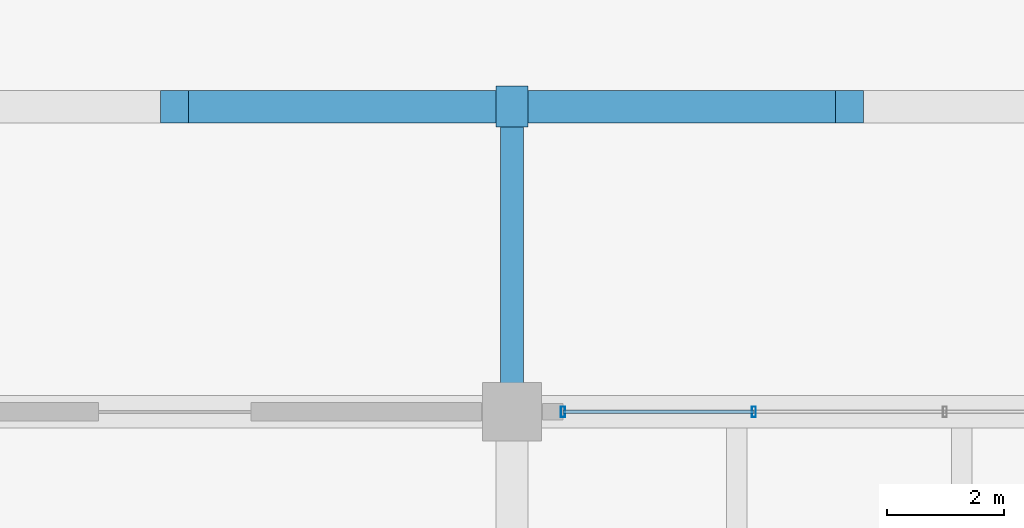
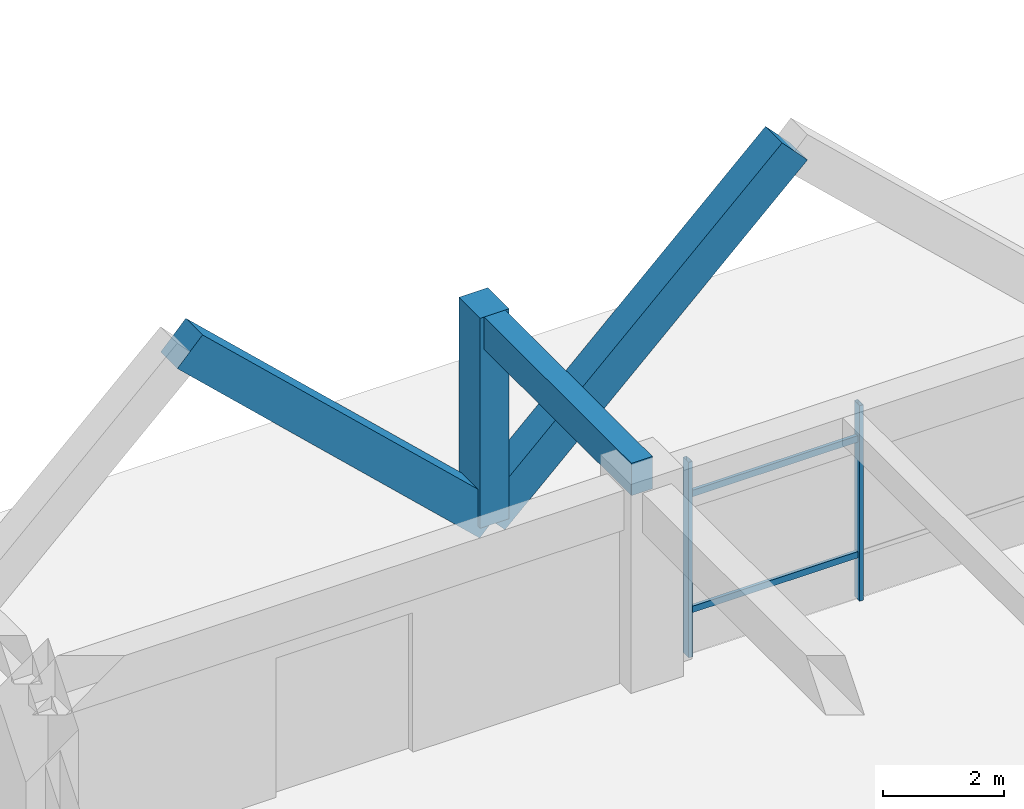
# One storey, part 34 of 109: 7 members, 1 beam, 1 element without a shape of its own.
"""IFC4 building model written with IfcOpenShell, lengths in metres."""

import ifcopenshell
import ifcopenshell.guid

model = None  # the IFC model being written
_history = None  # IfcOwnerHistory: only IFC2X3 demands one
_inside = {}  # id of a spatial element -> (the spatial element, [elements in it])
_under = {}  # id of a project, library or spatial element -> (it, [spatial elements below it])
_declared = {}  # id of a project -> (the project, [libraries it declares])
_typed = {}  # id of a type object -> (the type object, [elements of that type])
_made_of = {}  # id of a material, layer set ... -> (it, [elements and type objects made of it])


def new_model(schema):
    """Start an empty IFC model of exactly this schema.

    Asked for "IFC4X3", IfcOpenShell would pick the latest addendum, in which some entities
    have other attributes; the version numbers below select the first issue.
    IFC2X3 requires an IfcOwnerHistory on every rooted entity: one is made here for all.
    """
    global model, _history
    if schema == "IFC4X3":
        model = ifcopenshell.file(schema_version=(4, 3, 0, 0))
    else:
        model = ifcopenshell.file(schema=schema)
    _inside.clear()
    _under.clear()
    _declared.clear()
    _typed.clear()
    _made_of.clear()
    _history = None
    if model.schema == "IFC2X3":
        org = make("IfcOrganization", Name="unknown")
        user = make(
            "IfcPersonAndOrganization",
            ThePerson=make("IfcPerson", FamilyName="unknown"),
            TheOrganization=org,
        )
        app = make(
            "IfcApplication",
            ApplicationDeveloper=org,
            Version="unknown",
            ApplicationFullName="unknown",
            ApplicationIdentifier="unknown",
        )
        _history = make(
            "IfcOwnerHistory",
            OwningUser=user,
            OwningApplication=app,
            ChangeAction="ADDED",
            CreationDate=0,
        )
    return model


def make(cls, **values):
    """One entity of the class cls with the attributes given. An attribute that is None is left unset."""
    return model.create_entity(
        cls, **{name: value for name, value in values.items() if value is not None}
    )


def rooted(cls, **values):
    """An entity with a GlobalId (a new one), such as an element, a storey or a relation."""
    return make(cls, GlobalId=ifcopenshell.guid.new(), OwnerHistory=_history, **values)


def si_unit(unit_type, name, prefix=None):
    """IfcSIUnit, for example si_unit("LENGTHUNIT", "METRE", prefix="MILLI")."""
    return make("IfcSIUnit", UnitType=unit_type, Prefix=prefix, Name=name)


def assignment(units):
    """IfcUnitAssignment: the units of a project."""
    return None if units is None else make("IfcUnitAssignment", Units=units)


def point(xyz):
    """IfcCartesianPoint."""
    return None if xyz is None else make("IfcCartesianPoint", Coordinates=xyz)


def direction(xyz):
    """IfcDirection."""
    return None if xyz is None else make("IfcDirection", DirectionRatios=xyz)


def frame(location, z_axis=None, x_axis=None):
    """IfcAxis2Placement3D, a coordinate frame: its origin and axes. An axis left out is left unset."""
    return make(
        "IfcAxis2Placement3D",
        Location=point(location),
        Axis=direction(z_axis),
        RefDirection=direction(x_axis),
    )


def frame_2d(location, x_axis=None):
    """IfcAxis2Placement2D, a coordinate frame in the plane: its origin and x axis."""
    return make(
        "IfcAxis2Placement2D", Location=point(location), RefDirection=direction(x_axis)
    )


def origin():
    """The frame at (0, 0, 0) with its axes left unset."""
    return frame((0.0, 0.0, 0.0))


def origin_2d():
    """The frame at (0, 0) in the plane with its x axis left unset."""
    return frame_2d((0.0, 0.0))


def place(relative_to, where):
    """IfcLocalPlacement: puts the frame where relative to a parent placement (None: the world)."""
    return make(
        "IfcLocalPlacement", PlacementRelTo=relative_to, RelativePlacement=where
    )


def context(
    kind, dimensions, precision=None, world=None, true_north=None, identifier=None
):
    """IfcGeometricRepresentationContext, for example the 3D "Model" context."""
    return make(
        "IfcGeometricRepresentationContext",
        ContextIdentifier=identifier,
        ContextType=kind,
        CoordinateSpaceDimension=dimensions,
        Precision=precision,
        WorldCoordinateSystem=world,
        TrueNorth=true_north,
    )


def subcontext(parent, identifier, kind, view, scale=None):
    """IfcGeometricRepresentationSubContext, for example "Body" below "Model"."""
    return make(
        "IfcGeometricRepresentationSubContext",
        ContextIdentifier=identifier,
        ContextType=kind,
        ParentContext=parent,
        TargetScale=scale,
        TargetView=view,
    )


def project(units=None, contexts=None):
    """IfcProject with its units and contexts."""
    return rooted(
        "IfcProject",
        Name="project",
        RepresentationContexts=contexts,
        UnitsInContext=assignment(units),
    )


def spatial(cls, under=None, at=None, **own):
    """A site, building, storey or space (cls), placed at a placement, below another one or the project."""
    s = rooted(cls, ObjectPlacement=at, **own)
    if under is not None:
        _under.setdefault(under.id(), (under, []))[1].append(s)
    return s


def profile(cls, at=None, kind="AREA", **sizes):
    """A parametric profile (cls). Its sizes go by their IFC names, for example OverallWidth=200.0."""
    return make(cls, ProfileType=kind, Position=at, **sizes)


def rectangle(**sizes):
    """IfcRectangleProfileDef."""
    return profile("IfcRectangleProfileDef", **sizes)


def hollow_rectangle(**sizes):
    """IfcRectangleHollowProfileDef."""
    return profile("IfcRectangleHollowProfileDef", **sizes)


def extrude(swept, where, along, depth):
    """IfcExtrudedAreaSolid: the profile swept, set in the frame where, extruded along a direction by depth."""
    return make(
        "IfcExtrudedAreaSolid",
        SweptArea=swept,
        Position=where,
        ExtrudedDirection=direction(along),
        Depth=depth,
    )


def shape(context_of_items, identifier, shape_type, items):
    """IfcShapeRepresentation: the items that make up one representation, for example the "Body"."""
    return make(
        "IfcShapeRepresentation",
        ContextOfItems=context_of_items,
        RepresentationIdentifier=identifier,
        RepresentationType=shape_type,
        Items=items,
    )


def material(Name=None, Category=None):
    """IfcMaterial."""
    return make("IfcMaterial", Name=Name, Category=Category)


def material_profile(
    of_material, cross_section, Name=None, Category=None, Priority=None
):
    """IfcMaterialProfile: a cross section and its material."""
    return make(
        "IfcMaterialProfile",
        Name=Name,
        Material=of_material,
        Profile=cross_section,
        Priority=Priority,
        Category=Category,
    )


def profile_set(profiles, Name=None, composite=None):
    """IfcMaterialProfileSet."""
    return make(
        "IfcMaterialProfileSet",
        Name=Name,
        MaterialProfiles=profiles,
        CompositeProfile=composite,
    )


def made_of(thing, what):
    """Note that an element or type object is made of a material, layer set ...; save() writes the relation."""
    if what is not None:
        _made_of.setdefault(what.id(), (what, []))[1].append(thing)
    return thing


def type_object(cls, material=None, **own):
    """A type object (cls), such as IfcWallType, which elements share."""
    return made_of(rooted(cls, **own), material)


def element(
    cls,
    number,
    at=None,
    inside=None,
    cuts=None,
    type_object=None,
    material=None,
    context=None,
    identifier="Body",
    shape_type=None,
    held_by="IfcProductDefinitionShape",
    body=None,
    shapes=None,
    **own,
):
    """One element of the class cls, such as IfcWall. Its Tag is "e" and its number.

    at: its placement. inside: the storey or other place that contains it. cuts: it is an
    opening in that element (IfcRelVoidsElement). A single representation is given by context,
    identifier, shape_type and body (its items); several are given by shapes. held_by: the class
    of the entity that holds the representations. save() writes the other relations.
    """
    e = rooted(cls, Tag="e%d" % number, ObjectPlacement=at, **own)
    if body is not None:
        shapes = [shape(context, identifier, shape_type, body)]
    if shapes is not None:
        e.Representation = make(held_by, Representations=shapes)
    if inside is not None:
        _inside.setdefault(inside.id(), (inside, []))[1].append(e)
    if cuts is not None:
        rooted(
            "IfcRelVoidsElement", RelatingBuildingElement=cuts, RelatedOpeningElement=e
        )
    if type_object is not None:
        _typed.setdefault(type_object.id(), (type_object, []))[1].append(e)
    return made_of(e, material)


def aggregate(whole, parts):
    """IfcRelAggregates: a whole, such as a stair, and the parts it consists of."""
    return rooted("IfcRelAggregates", RelatingObject=whole, RelatedObjects=parts)


def save(model, path):
    """Write the relations noted so far, then the file.

    IfcRelAggregates (storeys below a building ...), IfcRelContainedInSpatialStructure (elements
    in a storey), IfcRelDefinesByType, IfcRelAssociatesMaterial and IfcRelDeclares: one each for
    every whole, place, type object, material and project.
    """
    for whole, parts in _under.values():
        aggregate(whole, parts)
    for where, things in _inside.values():
        rooted(
            "IfcRelContainedInSpatialStructure",
            RelatedElements=things,
            RelatingStructure=where,
        )
    for kind, things in _typed.values():
        rooted("IfcRelDefinesByType", RelatedObjects=things, RelatingType=kind)
    for what, things in _made_of.values():
        rooted("IfcRelAssociatesMaterial", RelatedObjects=things, RelatingMaterial=what)
    for by, libraries in _declared.values():
        rooted("IfcRelDeclares", RelatingContext=by, RelatedDefinitions=libraries)
    model.write(path)


model = new_model("IFC4")

# Units and contexts
model_context = context("Model", 3, precision=1e-05, world=origin(), true_north=direction((0.0, 1.0)))
body_context = subcontext(model_context, "Body", "Model", "MODEL_VIEW")
ifc_project = project(units=[si_unit("LENGTHUNIT", "METRE"), si_unit("AREAUNIT", "SQUARE_METRE"), si_unit("VOLUMEUNIT", "CUBIC_METRE"), si_unit("PLANEANGLEUNIT", "RADIAN"), si_unit("MASSUNIT", "GRAM", prefix="KILO")], contexts=[model_context])

# Site, building, storey
site_placement = place(None, origin())
site = spatial("IfcSite", under=ifc_project, at=site_placement, CompositionType="ELEMENT")
building_placement = place(site_placement, origin())
building = spatial("IfcBuilding", under=site, at=building_placement, Name="Ologun Quay Terminus", CompositionType="ELEMENT")
storey_placement = place(building_placement, origin())
storey = spatial("IfcBuildingStorey", under=building, at=storey_placement, Name="L00", CompositionType="ELEMENT", Elevation=0.0)

# Curtain wall, members
ifc_material_1 = material(Name="Aluminium 6063-T6", Category="aluminium")
curtain_wall_type = type_object("IfcCurtainWallType", Name="Waterfront Pavilion Harbour Curtain Wall L00 10500x3750", PredefinedType="USERDEFINED", material=ifc_material_1)
curtain_wall_placement = place(storey_placement, origin())
curtain_wall = element("IfcCurtainWall", 1, at=curtain_wall_placement, inside=storey, type_object=curtain_wall_type, Name="CW-22 Curtain Wall CW-L00-096", ObjectType="UNITISED CURTAIN WALL", PredefinedType="USERDEFINED")
ifc_material_2 = material(Name="Aluminium 6063-T6", Category="aluminium")
ifc_material_profile_1 = material_profile(ifc_material_2, hollow_rectangle(XDim=0.070068359375, YDim=0.179931640625, WallThickness=0.0048828125, at=origin_2d()), Name="ALU 180x70x5")
ifc_profile_set_1 = profile_set([ifc_material_profile_1], Name="Aluminium 6063-T6")
member_type_1 = type_object("IfcMemberType", Name="Curtain Wall Heavy Mullion 180x70", PredefinedType="MULLION", material=ifc_profile_set_1)
member_1_placement = place(storey_placement, frame((35.3701171875, 114.800048828125, 0.0), z_axis=(0.0, 0.0, 1.0), x_axis=(1.0, 0.0, 0.0)))
member_1 = element("IfcMember", 2, at=member_1_placement, type_object=member_type_1, Name="CW-L00-096 Mullion 1", PredefinedType="MULLION", context=body_context, shape_type="SweptSolid", body=[
    extrude(hollow_rectangle(XDim=0.070068359375, YDim=0.179931640625, WallThickness=0.0048828125, at=origin_2d()), origin(), (0.0, 0.0, 1.0), 3.929931640625),
])
member_2_placement = place(storey_placement, frame((38.623291015625, 114.800048828125, 0.0), z_axis=(0.0, 0.0, 1.0), x_axis=(1.0, 0.0, 0.0)))
member_2 = element("IfcMember", 3, at=member_2_placement, type_object=member_type_1, Name="CW-L00-096 Mullion 2", PredefinedType="MULLION", context=body_context, shape_type="SweptSolid", body=[
    extrude(hollow_rectangle(XDim=0.070068359375, YDim=0.179931640625, WallThickness=0.0048828125, at=origin_2d()), origin(), (0.0, 0.0, 1.0), 3.929931640625),
])
ifc_material_3 = material(Name="Aluminium 6063-T6", Category="aluminium")
ifc_material_profile_2 = material_profile(ifc_material_3, hollow_rectangle(XDim=0.06005859375, YDim=0.1298828125, WallThickness=0.00390625, at=origin_2d()), Name="ALU 130x60x4")
ifc_profile_set_2 = profile_set([ifc_material_profile_2], Name="Aluminium 6063-T6")
member_type_2 = type_object("IfcMemberType", Name="Curtain Wall Heavy Transom 130x60", PredefinedType="USERDEFINED", material=ifc_profile_set_2)
member_3_placement = place(storey_placement, frame((35.3701171875, 114.800048828125, 0.89990234375), z_axis=(1.0, 0.0, 0.0), x_axis=(0.0, 1.0, 0.0)))
member_3 = element("IfcMember", 4, at=member_3_placement, type_object=member_type_2, Name="CW-L00-096 Transom B1-1", ObjectType="TRANSOM", PredefinedType="USERDEFINED", context=body_context, shape_type="SweptSolid", body=[
    extrude(hollow_rectangle(XDim=0.06005859375, YDim=0.1298828125, WallThickness=0.00390625, at=origin_2d()), origin(), (0.0, 0.0, 1.0), 3.253173828125),
])
member_4_placement = place(storey_placement, frame((35.3701171875, 114.800048828125, 3.22998046875), z_axis=(1.0, 0.0, 0.0), x_axis=(0.0, 1.0, 0.0)))
member_4 = element("IfcMember", 5, at=member_4_placement, type_object=member_type_2, Name="CW-L00-096 Transom B1-2", ObjectType="TRANSOM", PredefinedType="USERDEFINED", context=body_context, shape_type="SweptSolid", body=[
    extrude(hollow_rectangle(XDim=0.06005859375, YDim=0.1298828125, WallThickness=0.00390625, at=origin_2d()), origin(), (0.0, 0.0, 1.0), 3.253173828125),
])
aggregate(curtain_wall, [member_1, member_2, member_3, member_4])

# Members
ifc_material_4 = material(Name="Concrete C45/55", Category="concrete")
ifc_material_profile_3 = material_profile(ifc_material_4, rectangle(XDim=0.550048828125, YDim=0.699951171875, at=origin_2d()), Name="RC 550x700")
ifc_profile_set_3 = profile_set([ifc_material_profile_3], Name="Concrete C45/55")
member_type_3 = type_object("IfcMemberType", Name="Folded Canopy Concrete V-Strut 550x700", PredefinedType="STRUT", material=ifc_profile_set_3)
member_5_placement = place(storey_placement, frame((34.5, 120.0, 0.0), z_axis=(0.0, 0.0, 1.0), x_axis=(1.0, 0.0, 0.0)))
element("IfcMember", 6, at=member_5_placement, inside=storey, type_object=member_type_3, Name="VS2 Harbour Colonnade Pier 4/L", PredefinedType="STRUT", context=body_context, shape_type="SweptSolid", body=[
    extrude(rectangle(XDim=0.550048828125, YDim=0.699951171875, at=origin_2d()), origin(), (0.0, 0.0, 1.0), 4.219970703125),
])
for number, where, z_axis, x_axis, name in (
    (7, (34.5, 120.0, 0.0), (-0.727684573488, 0.0, 0.685911919643), (0.0, -1.0, 0.0), "VS2 Colonnade Strut 4/L-W"),
    (8, (34.5, 120.0, 0.0), (0.727684573488, 0.0, 0.685911919643), (0.0, 1.0, 0.0), "VS2 Colonnade Strut 4/L-E"),
):
    element("IfcMember", number, at=place(storey_placement, frame(where, z_axis=z_axis, x_axis=x_axis)), inside=storey, type_object=member_type_3, Name=name, PredefinedType="STRUT", context=body_context, shape_type="SweptSolid", body=[
        extrude(rectangle(XDim=0.550048828125, YDim=0.699951171875, at=origin_2d()), origin(), (0.0, 0.0, 1.0), 7.90185546875),
    ])

# Beam
ifc_material_5 = material(Name="Concrete C40/50", Category="concrete")
ifc_material_profile_4 = material_profile(ifc_material_5, rectangle(XDim=0.39990234375, YDim=0.64990234375, at=origin_2d()), Name="RC 400x650")
ifc_profile_set_4 = profile_set([ifc_material_profile_4], Name="Concrete C40/50")
beam_type = type_object("IfcBeamType", Name="Station Secondary Joist 400x650", PredefinedType="JOIST", material=ifc_profile_set_4)
beam_placement = place(storey_placement, frame((34.5, 114.800048828125, 3.89501953125), z_axis=(0.0, 1.0, 0.0), x_axis=(-1.0, 0.0, 0.0)))
element("IfcBeam", 9, at=beam_placement, inside=storey, type_object=beam_type, Name="J1 Beam 4/L L00", PredefinedType="JOIST", context=body_context, shape_type="SweptSolid", body=[
    extrude(rectangle(XDim=0.39990234375, YDim=0.64990234375, at=origin_2d()), origin(), (0.0, 0.0, 1.0), 5.199951171875),
])

save(model, "model.ifc")
